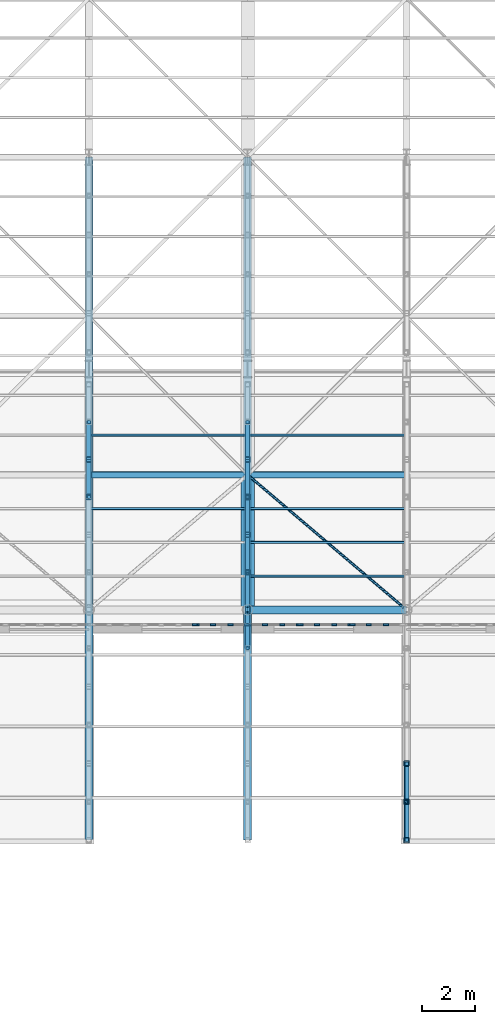
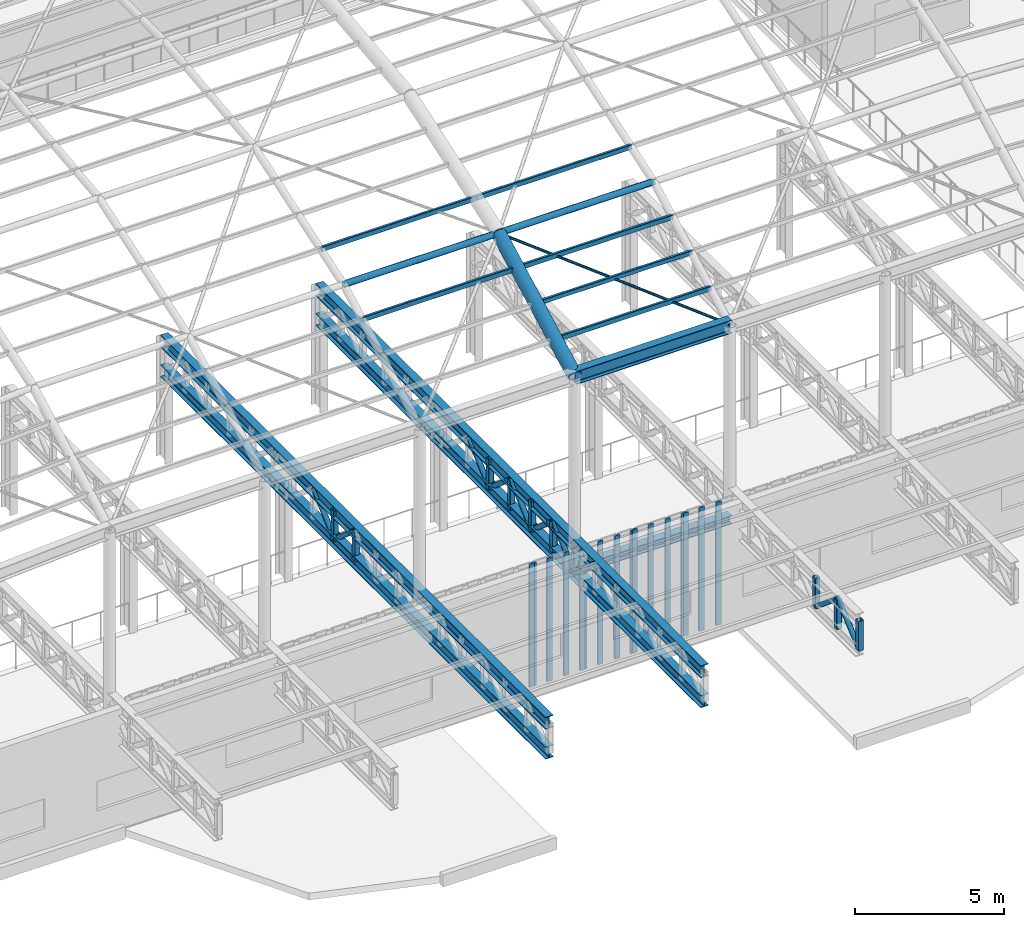
# One storey, part 25 of 75: 50 members, 2 beams, 5 elements without a shape of their own.
"""IFC4 building model written with IfcOpenShell, lengths in metres."""

from ifc_helpers import new_model, si_unit, direction, frame, origin, origin_2d, place, context, subcontext, project, spatial, rectangle, hollow_rectangle, hollow_circle, i_section, extrude, material, material_profile, profile_set, type_object, element, aggregate, save


model = new_model("IFC4")

# Units and contexts
model_context = context("Model", 3, precision=1e-05, world=origin(), true_north=direction((0.0, 1.0)))
body_context = subcontext(model_context, "Body", "Model", "MODEL_VIEW")
ifc_project = project(units=[si_unit("LENGTHUNIT", "METRE"), si_unit("AREAUNIT", "SQUARE_METRE"), si_unit("VOLUMEUNIT", "CUBIC_METRE"), si_unit("PLANEANGLEUNIT", "RADIAN"), si_unit("MASSUNIT", "GRAM", prefix="KILO")], contexts=[model_context])

# Site, building, storey
site_placement = place(None, origin())
site = spatial("IfcSite", under=ifc_project, at=site_placement, CompositionType="ELEMENT")
building_placement = place(site_placement, origin())
building = spatial("IfcBuilding", under=site, at=building_placement, Name="Kolvaren Corner Interchange", CompositionType="ELEMENT")
storey_placement = place(building_placement, frame((0.0, 0.0, 10.5)))
storey = spatial("IfcBuildingStorey", under=building, at=storey_placement, Name="L03", CompositionType="ELEMENT", Elevation=10.5)

# Beams
ifc_material_1 = material(Name="Steel S355", Category="steel")
ifc_material_profile_1 = material_profile(ifc_material_1, i_section(OverallWidth=0.300048828125, OverallDepth=0.35009765625, WebThickness=0.010009765625, FlangeThickness=0.017578125, FilletRadius=0.027099609375, at=origin_2d()), Name="HEA 360")
ifc_profile_set_1 = profile_set([ifc_material_profile_1], Name="Steel S355")
beam_type_1 = type_object("IfcBeamType", Name="BM-HEA360", PredefinedType="BEAM", material=ifc_profile_set_1)
beam_1_placement = place(storey_placement, frame((90.0, 24.89990234375, 3.77490234375), z_axis=(1.0, 0.0, 0.0), x_axis=(0.0, 1.0, 0.0)))
element("IfcBeam", 1, at=beam_1_placement, inside=storey, type_object=beam_type_1, Name="Storey L03 Grid X Primary Girder 0836", PredefinedType="BEAM", context=body_context, shape_type="SweptSolid", body=[
    extrude(i_section(OverallWidth=0.300048828125, OverallDepth=0.35009765625, WebThickness=0.010009765625, FlangeThickness=0.017578125, FilletRadius=0.027099609375, at=origin_2d()), origin(), (0.0, 0.0, 1.0), 6.0),
])
ifc_material_2 = material(Name="Steel S355", Category="steel")
ifc_material_profile_2 = material_profile(ifc_material_2, i_section(OverallWidth=0.300048828125, OverallDepth=0.5400390625, WebThickness=0.012451171875, FlangeThickness=0.02392578125, FilletRadius=0.027099609375, at=origin_2d()), Name="HEA 550")
ifc_profile_set_2 = profile_set([ifc_material_profile_2], Name="Steel S355")
beam_type_2 = type_object("IfcBeamType", Name="BM-HEA550", PredefinedType="BEAM", material=ifc_profile_set_2)
beam_2_placement = place(storey_placement, frame((90.0, 24.89990234375, 11.6650390625), z_axis=(1.0, 0.0, 0.0), x_axis=(0.0, 1.0, 0.0)))
element("IfcBeam", 2, at=beam_2_placement, inside=storey, type_object=beam_type_2, Name="Concourse Translational Gridshell Eaves Ring Beam 008", PredefinedType="BEAM", context=body_context, shape_type="SweptSolid", body=[
    extrude(i_section(OverallWidth=0.300048828125, OverallDepth=0.5400390625, WebThickness=0.012451171875, FlangeThickness=0.02392578125, FilletRadius=0.027099609375, at=origin_2d()), origin(), (0.0, 0.0, 1.0), 6.0),
])

# Members
ifc_material_3 = material(Name="Steel S355", Category="steel")
ifc_material_profile_3 = material_profile(ifc_material_3, hollow_circle(Radius=0.05078125, WallThickness=0.00634765625, at=origin_2d()), Name="CHS 101.6x6.3")
ifc_profile_set_3 = profile_set([ifc_material_profile_3], Name="Steel S355")
member_type_1 = type_object("IfcMemberType", Name="MEM-BR-CHS102", PredefinedType="BRACE", material=ifc_profile_set_3)
member_1_placement = place(storey_placement, frame((90.0, 30.0, 14.4130859375), z_axis=(0.719387446525, -0.611491038326, -0.329485070723), x_axis=(0.647655619635, 0.761933198092, 0.0)))
element("IfcMember", 3, at=member_1_placement, inside=storey, type_object=member_type_1, Name="Concourse Translational Gridshell Nodal Diagonal Brace 0057", PredefinedType="BRACE", context=body_context, shape_type="SweptSolid", body=[
    extrude(hollow_circle(Radius=0.05078125, WallThickness=0.00634765625, at=origin_2d()), origin(), (0.0, 0.0, 1.0), 8.34033203125),
])
ifc_material_4 = material(Name="Steel S355", Category="steel")
ifc_material_profile_4 = material_profile(ifc_material_4, hollow_circle(Radius=0.096923828125, WallThickness=0.010009765625, at=origin_2d()), Name="CHS 193.7x10.0")
ifc_profile_set_4 = profile_set([ifc_material_profile_4], Name="Steel S355")
member_type_2 = type_object("IfcMemberType", Name="MEM-BR-CHS194", PredefinedType="BRACE", material=ifc_profile_set_4)
member_2_placement = place(storey_placement, frame((84.0, 29.159912109375, 4.8701171875), z_axis=(0.0, 0.758482926199, -0.651692911319), x_axis=(-1.0, 0.0, 0.0)))
element("IfcMember", 4, at=member_2_placement, inside=storey, type_object=member_type_2, Name="South Portal Cantilever Roof Truss TOP Line 3 Diagonal 10", PredefinedType="BRACE", context=body_context, shape_type="SweptSolid", body=[
    extrude(hollow_circle(Radius=0.096923828125, WallThickness=0.010009765625, at=origin_2d()), origin(), (0.0, 0.0, 1.0), 1.872314453125),
])
member_3_placement = place(storey_placement, frame((84.0, 30.580078125, 3.64990234375), z_axis=(0.0, 0.758427540561, 0.651757367215), x_axis=(-1.0, 0.0, 0.0)))
element("IfcMember", 5, at=member_3_placement, inside=storey, type_object=member_type_2, Name="South Portal Cantilever Roof Truss TOP Line 3 Diagonal 11", PredefinedType="BRACE", context=body_context, shape_type="SweptSolid", body=[
    extrude(hollow_circle(Radius=0.096923828125, WallThickness=0.010009765625, at=origin_2d()), origin(), (0.0, 0.0, 1.0), 1.8720703125),
])
member_4_placement = place(storey_placement, frame((90.0, 23.449951171875, 4.8701171875), z_axis=(0.0, 0.765118287979, -0.643889746307), x_axis=(-1.0, 0.0, 0.0)))
element("IfcMember", 6, at=member_4_placement, inside=storey, type_object=member_type_2, Name="South Portal Cantilever Roof Truss TOP Line 4 Diagonal 06", PredefinedType="BRACE", context=body_context, shape_type="SweptSolid", body=[
    extrude(hollow_circle(Radius=0.096923828125, WallThickness=0.010009765625, at=origin_2d()), origin(), (0.0, 0.0, 1.0), 1.89501953125),
])
member_5_placement = place(storey_placement, frame((90.0, 24.89990234375, 3.64990234375), z_axis=(0.0, 0.758482926199, 0.651692911319), x_axis=(-1.0, 0.0, 0.0)))
element("IfcMember", 7, at=member_5_placement, inside=storey, type_object=member_type_2, Name="South Portal Cantilever Roof Truss TOP Line 4 Diagonal 07", PredefinedType="BRACE", context=body_context, shape_type="SweptSolid", body=[
    extrude(hollow_circle(Radius=0.096923828125, WallThickness=0.010009765625, at=origin_2d()), origin(), (0.0, 0.0, 1.0), 1.872314453125),
])
for number, where, z_axis, x_axis, name in (
    (8, (90.0, 26.320068359375, 4.8701171875), (0.0, 0.758427540561, -0.651757367215), (-1.0, 0.0, 0.0), "South Portal Cantilever Roof Truss TOP Line 4 Diagonal 08"),
    (9, (90.0, 27.739990234375, 3.64990234375), (0.0, 0.758427540561, 0.651757367215), (-1.0, 0.0, 0.0), "South Portal Cantilever Roof Truss TOP Line 4 Diagonal 09"),
):
    element("IfcMember", number, at=place(storey_placement, frame(where, z_axis=z_axis, x_axis=x_axis)), inside=storey, type_object=member_type_2, Name=name, PredefinedType="BRACE", context=body_context, shape_type="SweptSolid", body=[
        extrude(hollow_circle(Radius=0.096923828125, WallThickness=0.010009765625, at=origin_2d()), origin(), (0.0, 0.0, 1.0), 1.8720703125),
    ])
member_6_placement = place(storey_placement, frame((90.0, 29.159912109375, 4.8701171875), z_axis=(0.0, 0.758482926199, -0.651692911319), x_axis=(-1.0, 0.0, 0.0)))
element("IfcMember", 10, at=member_6_placement, inside=storey, type_object=member_type_2, Name="South Portal Cantilever Roof Truss TOP Line 4 Diagonal 10", PredefinedType="BRACE", context=body_context, shape_type="SweptSolid", body=[
    extrude(hollow_circle(Radius=0.096923828125, WallThickness=0.010009765625, at=origin_2d()), origin(), (0.0, 0.0, 1.0), 1.872314453125),
])
member_7_placement = place(storey_placement, frame((90.0, 30.580078125, 3.64990234375), z_axis=(0.0, 0.758427540561, 0.651757367215), x_axis=(-1.0, 0.0, 0.0)))
element("IfcMember", 11, at=member_7_placement, inside=storey, type_object=member_type_2, Name="South Portal Cantilever Roof Truss TOP Line 4 Diagonal 11", PredefinedType="BRACE", context=body_context, shape_type="SweptSolid", body=[
    extrude(hollow_circle(Radius=0.096923828125, WallThickness=0.010009765625, at=origin_2d()), origin(), (0.0, 0.0, 1.0), 1.8720703125),
])
member_8_placement = place(storey_placement, frame((96.0, 16.199951171875, 3.64990234375), z_axis=(0.0, 0.765118287979, 0.643889746307), x_axis=(-1.0, 0.0, 0.0)))
element("IfcMember", 12, at=member_8_placement, inside=storey, type_object=member_type_2, Name="South Portal Cantilever Roof Truss TOP Line 5 Diagonal 01", PredefinedType="BRACE", context=body_context, shape_type="SweptSolid", body=[
    extrude(hollow_circle(Radius=0.096923828125, WallThickness=0.010009765625, at=origin_2d()), origin(), (0.0, 0.0, 1.0), 1.89501953125),
])
member_9_placement = place(storey_placement, frame((96.0, 17.64990234375, 4.8701171875), z_axis=(0.0, 0.765171692013, -0.64382628227), x_axis=(-1.0, 0.0, 0.0)))
element("IfcMember", 13, at=member_9_placement, inside=storey, type_object=member_type_2, Name="South Portal Cantilever Roof Truss TOP Line 5 Diagonal 02", PredefinedType="BRACE", context=body_context, shape_type="SweptSolid", body=[
    extrude(hollow_circle(Radius=0.096923828125, WallThickness=0.010009765625, at=origin_2d()), origin(), (0.0, 0.0, 1.0), 1.895263671875),
])
ifc_material_5 = material(Name="Steel S355", Category="steel")
ifc_material_profile_5 = material_profile(ifc_material_5, hollow_circle(Radius=0.122314453125, WallThickness=0.012451171875, at=origin_2d()), Name="CHS 244.5x12.5")
ifc_profile_set_5 = profile_set([ifc_material_profile_5], Name="Steel S355")
member_type_3 = type_object("IfcMemberType", Name="MEM-CH-CHS245", PredefinedType="CHORD", material=ifc_profile_set_5)
for number, where, z_axis, x_axis, name in (
    (14, (84.0, 30.0, 14.4130859375), (1.0, 0.0, 0.0), (0.0, 1.0, 0.0), "Concourse Translational Gridshell Longitudinal Arch Chord 0111"),
    (15, (90.0, 30.0, 14.4130859375), (1.0, 0.0, 0.0), (0.0, 1.0, 0.0), "Concourse Translational Gridshell Longitudinal Arch Chord 0112"),
):
    element("IfcMember", number, at=place(storey_placement, frame(where, z_axis=z_axis, x_axis=x_axis)), inside=storey, type_object=member_type_3, Name=name, PredefinedType="CHORD", context=body_context, shape_type="SweptSolid", body=[
        extrude(hollow_circle(Radius=0.122314453125, WallThickness=0.012451171875, at=origin_2d()), origin(), (0.0, 0.0, 1.0), 6.0),
    ])
ifc_material_6 = material(Name="Steel S355", Category="steel")
ifc_material_profile_6 = material_profile(ifc_material_6, hollow_circle(Radius=0.25390625, WallThickness=0.01611328125, at=origin_2d()), Name="CHS 508.0x16.0")
ifc_profile_set_6 = profile_set([ifc_material_profile_6], Name="Steel S355")
member_type_4 = type_object("IfcMemberType", Name="MEM-CH-CHS508", PredefinedType="CHORD", material=ifc_profile_set_6)
member_10_placement = place(storey_placement, frame((90.0, 24.89990234375, 11.6650390625), z_axis=(0.0, 0.880338454691, 0.474346081666), x_axis=(-1.0, 0.0, 0.0)))
element("IfcMember", 16, at=member_10_placement, inside=storey, type_object=member_type_4, Name="Concourse Translational Gridshell Transverse Arch Chord 0049", PredefinedType="CHORD", context=body_context, shape_type="SweptSolid", body=[
    extrude(hollow_circle(Radius=0.25390625, WallThickness=0.01611328125, at=origin_2d()), origin(), (0.0, 0.0, 1.0), 5.79345703125),
])
ifc_material_7 = material(Name="Steel S355", Category="steel")
ifc_material_profile_7 = material_profile(ifc_material_7, i_section(OverallWidth=0.300048828125, OverallDepth=0.5, WebThickness=0.014404296875, FlangeThickness=0.028076171875, FilletRadius=0.027099609375, at=origin_2d()), Name="HEB 500")
ifc_profile_set_7 = profile_set([ifc_material_profile_7], Name="Steel S355")
member_type_5 = type_object("IfcMemberType", Name="MEM-CH-HEB500", PredefinedType="CHORD", material=ifc_profile_set_7)
for number, where, z_axis, x_axis, name in (
    (17, (84.0, 16.199951171875, 4.8701171875), (0.0, 1.0, 0.0), (-1.0, 0.0, 0.0), "South Portal Cantilever Roof Truss TOP Line 3 Top Chord"),
    (18, (84.0, 16.199951171875, 3.64990234375), (0.0, 1.0, 0.0), (-1.0, 0.0, 0.0), "South Portal Cantilever Roof Truss TOP Line 3 Bottom Chord"),
    (19, (90.0, 16.199951171875, 4.8701171875), (0.0, 1.0, 0.0), (-1.0, 0.0, 0.0), "South Portal Cantilever Roof Truss TOP Line 4 Top Chord"),
    (20, (90.0, 16.199951171875, 3.64990234375), (0.0, 1.0, 0.0), (-1.0, 0.0, 0.0), "South Portal Cantilever Roof Truss TOP Line 4 Bottom Chord"),
):
    element("IfcMember", number, at=place(storey_placement, frame(where, z_axis=z_axis, x_axis=x_axis)), inside=storey, type_object=member_type_5, Name=name, PredefinedType="CHORD", context=body_context, shape_type="SweptSolid", body=[
        extrude(i_section(OverallWidth=0.300048828125, OverallDepth=0.5, WebThickness=0.014404296875, FlangeThickness=0.028076171875, FilletRadius=0.027099609375, at=origin_2d()), origin(), (0.0, 0.0, 1.0), 25.800048828125),
    ])
ifc_material_8 = material(Name="Steel S355", Category="steel")
ifc_material_profile_8 = material_profile(ifc_material_8, hollow_rectangle(XDim=0.10009765625, YDim=0.179931640625, WallThickness=0.008056640625, InnerFilletRadius=0.008056640625, OuterFilletRadius=0.01611328125, at=origin_2d()), Name="RHS 180x100x8.0")
ifc_profile_set_8 = profile_set([ifc_material_profile_8], Name="Steel S355")
member_type_6 = type_object("IfcMemberType", Name="MEM-PR-RHS180", PredefinedType="PURLIN", material=ifc_profile_set_8)
member_11_placement = place(storey_placement, frame((90.0, 27.449951171875, 13.0869140625), z_axis=(1.0, 0.0, 0.0), x_axis=(0.0, 1.0, 0.0)))
element("IfcMember", 21, at=member_11_placement, inside=storey, type_object=member_type_6, Name="Concourse Translational Gridshell Glazing Purlin 0057 Row 2", PredefinedType="PURLIN", context=body_context, shape_type="SweptSolid", body=[
    extrude(hollow_rectangle(XDim=0.10009765625, YDim=0.179931640625, WallThickness=0.008056640625, InnerFilletRadius=0.008056640625, OuterFilletRadius=0.01611328125, at=origin_2d()), origin(), (0.0, 0.0, 1.0), 6.0),
])
ifc_material_9 = material(Name="Steel S355", Category="steel")
ifc_material_profile_9 = material_profile(ifc_material_9, hollow_rectangle(XDim=0.10009765625, YDim=0.199951171875, WallThickness=0.008056640625, InnerFilletRadius=0.008056640625, OuterFilletRadius=0.01611328125, at=origin_2d()), Name="RHS 200x100x8.0")
ifc_profile_set_9 = profile_set([ifc_material_profile_9], Name="Steel S355")
member_type_7 = type_object("IfcMemberType", Name="MEM-PR-RHS200", PredefinedType="PURLIN", material=ifc_profile_set_9)
for number, where, z_axis, x_axis, name in (
    (22, (84.0, 28.72509765625, 13.763916015625), (1.0, 0.0, 0.0), (0.0, 1.0, 0.0), "Concourse Translational Gridshell Glazing Purlin 0049 Row 3"),
    (23, (84.0, 31.5, 14.950927734375), (1.0, 0.0, 0.0), (0.0, 1.0, 0.0), "Concourse Translational Gridshell Glazing Purlin 0050 Row 1"),
    (24, (90.0, 26.175048828125, 12.389892578125), (1.0, 0.0, 0.0), (0.0, 1.0, 0.0), "Concourse Translational Gridshell Glazing Purlin 0057 Row 1"),
    (25, (90.0, 28.72509765625, 13.763916015625), (1.0, 0.0, 0.0), (0.0, 1.0, 0.0), "Concourse Translational Gridshell Glazing Purlin 0057 Row 3"),
    (26, (90.0, 31.5, 14.950927734375), (1.0, 0.0, 0.0), (0.0, 1.0, 0.0), "Concourse Translational Gridshell Glazing Purlin 0058 Row 1"),
):
    element("IfcMember", number, at=place(storey_placement, frame(where, z_axis=z_axis, x_axis=x_axis)), inside=storey, type_object=member_type_7, Name=name, PredefinedType="PURLIN", context=body_context, shape_type="SweptSolid", body=[
        extrude(hollow_rectangle(XDim=0.10009765625, YDim=0.199951171875, WallThickness=0.008056640625, InnerFilletRadius=0.008056640625, OuterFilletRadius=0.01611328125, at=origin_2d()), origin(), (0.0, 0.0, 1.0), 6.0),
    ])
ifc_material_10 = material(Name="Steel S355", Category="steel")
ifc_material_profile_10 = material_profile(ifc_material_10, hollow_rectangle(XDim=0.199951171875, YDim=0.199951171875, WallThickness=0.010009765625, InnerFilletRadius=0.010009765625, OuterFilletRadius=0.02001953125, at=origin_2d()), Name="SHS 200x200x10.0")
ifc_profile_set_10 = profile_set([ifc_material_profile_10], Name="Steel S355")
member_type_8 = type_object("IfcMemberType", Name="MEM-PT-SHS200", PredefinedType="POST", material=ifc_profile_set_10)
for number, where, z_axis, x_axis, name in (
    (27, (84.0, 29.159912109375, 3.64990234375), (0.0, 0.0, 1.0), (1.0, 0.0, 0.0), "South Portal Cantilever Roof Truss TOP Line 3 Web Post 10"),
    (28, (84.0, 30.580078125, 3.64990234375), (0.0, 0.0, 1.0), (1.0, 0.0, 0.0), "South Portal Cantilever Roof Truss TOP Line 3 Web Post 11"),
    (29, (90.0, 24.89990234375, 3.64990234375), (0.0, 0.0, 1.0), (1.0, 0.0, 0.0), "South Portal Cantilever Roof Truss TOP Line 4 Web Post 07"),
    (30, (90.0, 26.320068359375, 3.64990234375), (0.0, 0.0, 1.0), (1.0, 0.0, 0.0), "South Portal Cantilever Roof Truss TOP Line 4 Web Post 08"),
    (31, (90.0, 27.739990234375, 3.64990234375), (0.0, 0.0, 1.0), (1.0, 0.0, 0.0), "South Portal Cantilever Roof Truss TOP Line 4 Web Post 09"),
    (32, (90.0, 29.159912109375, 3.64990234375), (0.0, 0.0, 1.0), (1.0, 0.0, 0.0), "South Portal Cantilever Roof Truss TOP Line 4 Web Post 10"),
    (33, (90.0, 30.580078125, 3.64990234375), (0.0, 0.0, 1.0), (1.0, 0.0, 0.0), "South Portal Cantilever Roof Truss TOP Line 4 Web Post 11"),
    (34, (96.0, 16.199951171875, 3.64990234375), (0.0, 0.0, 1.0), (1.0, 0.0, 0.0), "South Portal Cantilever Roof Truss TOP Line 5 Web Post 01"),
    (35, (96.0, 17.64990234375, 3.64990234375), (0.0, 0.0, 1.0), (1.0, 0.0, 0.0), "South Portal Cantilever Roof Truss TOP Line 5 Web Post 02"),
    (36, (96.0, 19.10009765625, 3.64990234375), (0.0, 0.0, 1.0), (1.0, 0.0, 0.0), "South Portal Cantilever Roof Truss TOP Line 5 Web Post 03"),
):
    element("IfcMember", number, at=place(storey_placement, frame(where, z_axis=z_axis, x_axis=x_axis)), inside=storey, type_object=member_type_8, Name=name, PredefinedType="POST", context=body_context, shape_type="SweptSolid", body=[
        extrude(hollow_rectangle(XDim=0.199951171875, YDim=0.199951171875, WallThickness=0.010009765625, InnerFilletRadius=0.010009765625, OuterFilletRadius=0.02001953125, at=origin_2d()), origin(), (0.0, 0.0, 1.0), 1.22021484375),
    ])

# Curtain wall, member
ifc_material_11 = material(Name="Unitised Aluminium and Solar-Control Glass Curtain Wall", Category="aluminium")
curtain_wall_type = type_object("IfcCurtainWallType", Name="CW-V1-UPPER", PredefinedType="NOTDEFINED", material=ifc_material_11)
curtain_wall_1_placement = place(storey_placement, origin())
curtain_wall_1 = element("IfcCurtainWall", 37, at=curtain_wall_1_placement, inside=storey, type_object=curtain_wall_type, Name="South Portal Upper Curtain Wall Bay 08", PredefinedType="NOTDEFINED")
ifc_material_12 = material(Name="Anodised Aluminium Framing", Category="aluminium")
ifc_material_profile_11 = material_profile(ifc_material_12, rectangle(XDim=0.070068359375, YDim=0.199951171875, at=origin_2d()), Name="ALU 70x200")
ifc_profile_set_11 = profile_set([ifc_material_profile_11], Name="Anodised Aluminium Framing")
member_type_9 = type_object("IfcMemberType", Name="MUL-ALU70x200", PredefinedType="MULLION", material=ifc_profile_set_11)
member_12_placement = place(storey_placement, frame((88.00390625, 24.340087890625, 0.0), z_axis=(0.0, 0.0, 1.0), x_axis=(0.0, 1.0, 0.0)))
member_12 = element("IfcMember", 38, at=member_12_placement, type_object=member_type_9, Name="CW-044 mullion 4", PredefinedType="MULLION", context=body_context, shape_type="SweptSolid", body=[
    extrude(rectangle(XDim=0.070068359375, YDim=0.199951171875, at=origin_2d()), origin(), (0.0, 0.0, 1.0), 5.050048828125),
])
aggregate(curtain_wall_1, [member_12])

# Curtain wall, members
curtain_wall_2_placement = place(storey_placement, origin())
curtain_wall_2 = element("IfcCurtainWall", 39, at=curtain_wall_2_placement, inside=storey, type_object=curtain_wall_type, Name="South Portal Upper Curtain Wall Bay 09", PredefinedType="NOTDEFINED")
member_13_placement = place(storey_placement, frame((88.073974609375, 24.340087890625, 0.0), z_axis=(0.0, 0.0, 1.0), x_axis=(0.0, 1.0, 0.0)))
member_13 = element("IfcMember", 40, at=member_13_placement, type_object=member_type_9, Name="CW-045 mullion 1", PredefinedType="MULLION", context=body_context, shape_type="SweptSolid", body=[
    extrude(rectangle(XDim=0.070068359375, YDim=0.199951171875, at=origin_2d()), origin(), (0.0, 0.0, 1.0), 5.050048828125),
])
member_14_placement = place(storey_placement, frame((88.692626953125, 24.340087890625, 0.0), z_axis=(0.0, 0.0, 1.0), x_axis=(0.0, 1.0, 0.0)))
member_14 = element("IfcMember", 41, at=member_14_placement, type_object=member_type_9, Name="CW-045 mullion 2", PredefinedType="MULLION", context=body_context, shape_type="SweptSolid", body=[
    extrude(rectangle(XDim=0.070068359375, YDim=0.199951171875, at=origin_2d()), origin(), (0.0, 0.0, 1.0), 5.050048828125),
])
member_15_placement = place(storey_placement, frame((89.34619140625, 24.340087890625, 0.0), z_axis=(0.0, 0.0, 1.0), x_axis=(0.0, 1.0, 0.0)))
member_15 = element("IfcMember", 42, at=member_15_placement, type_object=member_type_9, Name="CW-045 mullion 3", PredefinedType="MULLION", context=body_context, shape_type="SweptSolid", body=[
    extrude(rectangle(XDim=0.070068359375, YDim=0.199951171875, at=origin_2d()), origin(), (0.0, 0.0, 1.0), 5.050048828125),
])
member_16_placement = place(storey_placement, frame((89.965087890625, 24.340087890625, 0.0), z_axis=(0.0, 0.0, 1.0), x_axis=(0.0, 1.0, 0.0)))
member_16 = element("IfcMember", 43, at=member_16_placement, type_object=member_type_9, Name="CW-045 mullion 4", PredefinedType="MULLION", context=body_context, shape_type="SweptSolid", body=[
    extrude(rectangle(XDim=0.070068359375, YDim=0.199951171875, at=origin_2d()), origin(), (0.0, 0.0, 1.0), 5.050048828125),
])
aggregate(curtain_wall_2, [member_13, member_14, member_15, member_16])

curtain_wall_3_placement = place(storey_placement, origin())
curtain_wall_3 = element("IfcCurtainWall", 44, at=curtain_wall_3_placement, inside=storey, type_object=curtain_wall_type, Name="South Portal Upper Curtain Wall Bay 10", PredefinedType="NOTDEFINED")
member_17_placement = place(storey_placement, frame((90.034912109375, 24.340087890625, 0.0), z_axis=(0.0, 0.0, 1.0), x_axis=(0.0, 1.0, 0.0)))
member_17 = element("IfcMember", 45, at=member_17_placement, type_object=member_type_9, Name="CW-046 mullion 1", PredefinedType="MULLION", context=body_context, shape_type="SweptSolid", body=[
    extrude(rectangle(XDim=0.070068359375, YDim=0.199951171875, at=origin_2d()), origin(), (0.0, 0.0, 1.0), 5.050048828125),
])
member_18_placement = place(storey_placement, frame((90.65380859375, 24.340087890625, 0.0), z_axis=(0.0, 0.0, 1.0), x_axis=(0.0, 1.0, 0.0)))
member_18 = element("IfcMember", 46, at=member_18_placement, type_object=member_type_9, Name="CW-046 mullion 2", PredefinedType="MULLION", context=body_context, shape_type="SweptSolid", body=[
    extrude(rectangle(XDim=0.070068359375, YDim=0.199951171875, at=origin_2d()), origin(), (0.0, 0.0, 1.0), 5.050048828125),
])
member_19_placement = place(storey_placement, frame((91.307373046875, 24.340087890625, 0.0), z_axis=(0.0, 0.0, 1.0), x_axis=(0.0, 1.0, 0.0)))
member_19 = element("IfcMember", 47, at=member_19_placement, type_object=member_type_9, Name="CW-046 mullion 3", PredefinedType="MULLION", context=body_context, shape_type="SweptSolid", body=[
    extrude(rectangle(XDim=0.070068359375, YDim=0.199951171875, at=origin_2d()), origin(), (0.0, 0.0, 1.0), 5.050048828125),
])
member_20_placement = place(storey_placement, frame((91.926025390625, 24.340087890625, 0.0), z_axis=(0.0, 0.0, 1.0), x_axis=(0.0, 1.0, 0.0)))
member_20 = element("IfcMember", 48, at=member_20_placement, type_object=member_type_9, Name="CW-046 mullion 4", PredefinedType="MULLION", context=body_context, shape_type="SweptSolid", body=[
    extrude(rectangle(XDim=0.070068359375, YDim=0.199951171875, at=origin_2d()), origin(), (0.0, 0.0, 1.0), 5.050048828125),
])
aggregate(curtain_wall_3, [member_17, member_18, member_19, member_20])

curtain_wall_4_placement = place(storey_placement, origin())
curtain_wall_4 = element("IfcCurtainWall", 49, at=curtain_wall_4_placement, inside=storey, type_object=curtain_wall_type, Name="South Portal Upper Curtain Wall Bay 11", PredefinedType="NOTDEFINED")
member_21_placement = place(storey_placement, frame((91.99609375, 24.340087890625, 0.0), z_axis=(0.0, 0.0, 1.0), x_axis=(0.0, 1.0, 0.0)))
member_21 = element("IfcMember", 50, at=member_21_placement, type_object=member_type_9, Name="CW-047 mullion 1", PredefinedType="MULLION", context=body_context, shape_type="SweptSolid", body=[
    extrude(rectangle(XDim=0.070068359375, YDim=0.199951171875, at=origin_2d()), origin(), (0.0, 0.0, 1.0), 5.050048828125),
])
member_22_placement = place(storey_placement, frame((92.61474609375, 24.340087890625, 0.0), z_axis=(0.0, 0.0, 1.0), x_axis=(0.0, 1.0, 0.0)))
member_22 = element("IfcMember", 51, at=member_22_placement, type_object=member_type_9, Name="CW-047 mullion 2", PredefinedType="MULLION", context=body_context, shape_type="SweptSolid", body=[
    extrude(rectangle(XDim=0.070068359375, YDim=0.199951171875, at=origin_2d()), origin(), (0.0, 0.0, 1.0), 5.050048828125),
])
member_23_placement = place(storey_placement, frame((93.2685546875, 24.340087890625, 0.0), z_axis=(0.0, 0.0, 1.0), x_axis=(0.0, 1.0, 0.0)))
member_23 = element("IfcMember", 52, at=member_23_placement, type_object=member_type_9, Name="CW-047 mullion 3", PredefinedType="MULLION", context=body_context, shape_type="SweptSolid", body=[
    extrude(rectangle(XDim=0.070068359375, YDim=0.199951171875, at=origin_2d()), origin(), (0.0, 0.0, 1.0), 5.050048828125),
])
member_24_placement = place(storey_placement, frame((93.88720703125, 24.340087890625, 0.0), z_axis=(0.0, 0.0, 1.0), x_axis=(0.0, 1.0, 0.0)))
member_24 = element("IfcMember", 53, at=member_24_placement, type_object=member_type_9, Name="CW-047 mullion 4", PredefinedType="MULLION", context=body_context, shape_type="SweptSolid", body=[
    extrude(rectangle(XDim=0.070068359375, YDim=0.199951171875, at=origin_2d()), origin(), (0.0, 0.0, 1.0), 5.050048828125),
])
aggregate(curtain_wall_4, [member_21, member_22, member_23, member_24])

curtain_wall_5_placement = place(storey_placement, origin())
curtain_wall_5 = element("IfcCurtainWall", 54, at=curtain_wall_5_placement, inside=storey, type_object=curtain_wall_type, Name="South Portal Upper Curtain Wall Bay 12", PredefinedType="NOTDEFINED")
member_25_placement = place(storey_placement, frame((93.957275390625, 24.340087890625, 0.0), z_axis=(0.0, 0.0, 1.0), x_axis=(0.0, 1.0, 0.0)))
member_25 = element("IfcMember", 55, at=member_25_placement, type_object=member_type_9, Name="CW-048 mullion 1", PredefinedType="MULLION", context=body_context, shape_type="SweptSolid", body=[
    extrude(rectangle(XDim=0.070068359375, YDim=0.199951171875, at=origin_2d()), origin(), (0.0, 0.0, 1.0), 5.050048828125),
])
member_26_placement = place(storey_placement, frame((94.575927734375, 24.340087890625, 0.0), z_axis=(0.0, 0.0, 1.0), x_axis=(0.0, 1.0, 0.0)))
member_26 = element("IfcMember", 56, at=member_26_placement, type_object=member_type_9, Name="CW-048 mullion 2", PredefinedType="MULLION", context=body_context, shape_type="SweptSolid", body=[
    extrude(rectangle(XDim=0.070068359375, YDim=0.199951171875, at=origin_2d()), origin(), (0.0, 0.0, 1.0), 5.050048828125),
])
member_27_placement = place(storey_placement, frame((95.2294921875, 24.340087890625, 0.0), z_axis=(0.0, 0.0, 1.0), x_axis=(0.0, 1.0, 0.0)))
member_27 = element("IfcMember", 57, at=member_27_placement, type_object=member_type_9, Name="CW-048 mullion 3", PredefinedType="MULLION", context=body_context, shape_type="SweptSolid", body=[
    extrude(rectangle(XDim=0.070068359375, YDim=0.199951171875, at=origin_2d()), origin(), (0.0, 0.0, 1.0), 5.050048828125),
])
aggregate(curtain_wall_5, [member_25, member_26, member_27])

save(model, "model.ifc")
